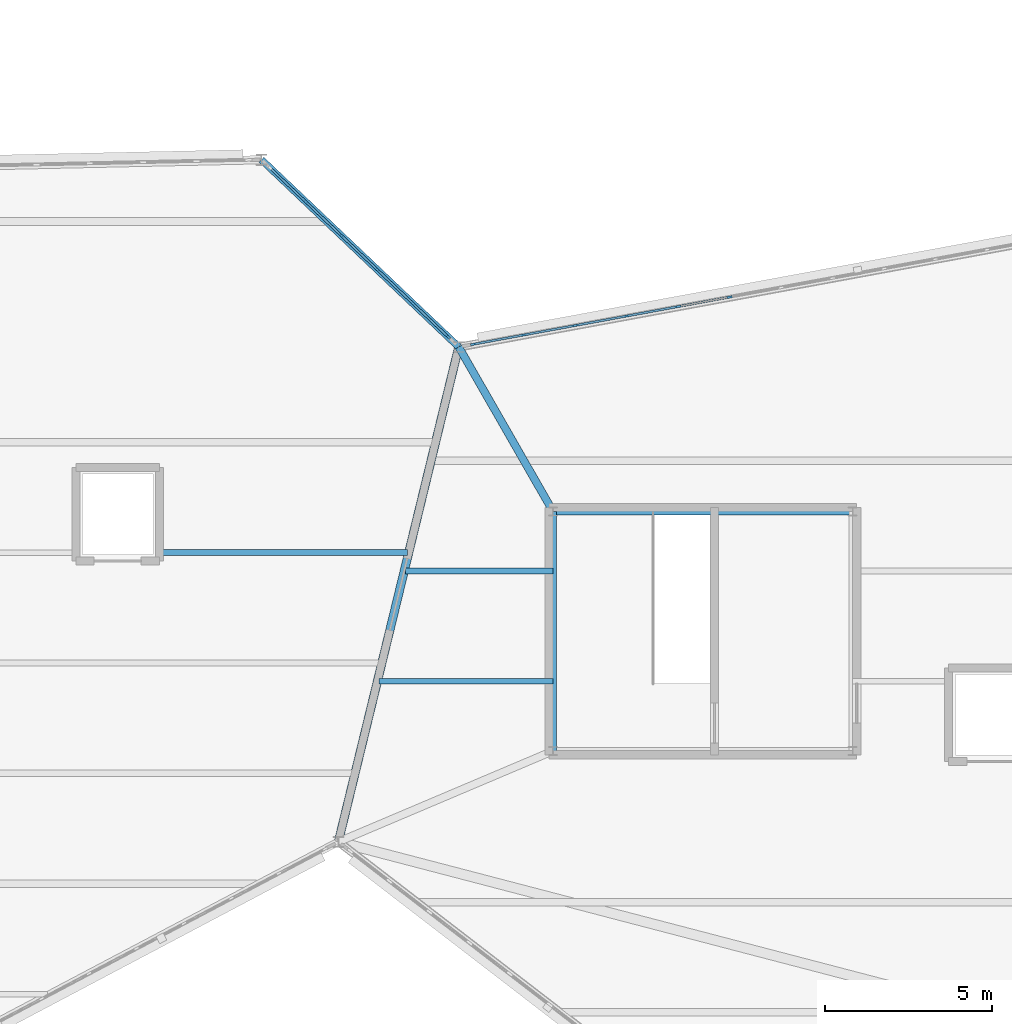
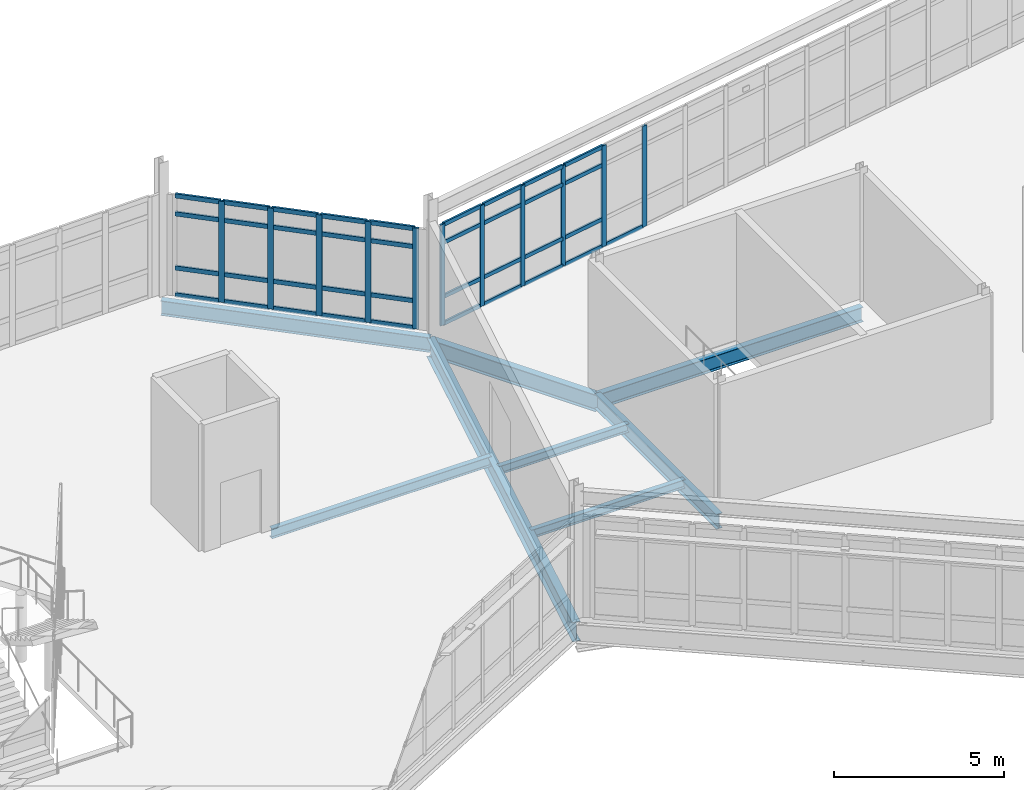
# One storey, part 28 of 76: 48 members, 8 beams, 2 elements without a shape of their own.
"""IFC4 building model written with IfcOpenShell, lengths in metres."""

from ifc_helpers import new_model, si_unit, direction, frame, origin, origin_2d, place, context, subcontext, project, spatial, rectangle, i_section, extrude, material, material_profile, profile_set, type_object, element, aggregate, save


model = new_model("IFC4")

# Units and contexts
model_context = context("Model", 3, precision=1e-05, world=origin(), true_north=direction((0.0, 1.0)))
body_context = subcontext(model_context, "Body", "Model", "MODEL_VIEW")
ifc_project = project(units=[si_unit("LENGTHUNIT", "METRE"), si_unit("AREAUNIT", "SQUARE_METRE"), si_unit("VOLUMEUNIT", "CUBIC_METRE"), si_unit("PLANEANGLEUNIT", "RADIAN"), si_unit("MASSUNIT", "GRAM", prefix="KILO")], contexts=[model_context])

# Site, building, storey
site_placement = place(None, origin())
site = spatial("IfcSite", under=ifc_project, at=site_placement, CompositionType="ELEMENT")
building_placement = place(site_placement, origin())
building = spatial("IfcBuilding", under=site, at=building_placement, Name="Tameran Prism Museum", CompositionType="ELEMENT")
storey_placement = place(building_placement, frame((0.0, 0.0, 15.0)))
storey = spatial("IfcBuildingStorey", under=building, at=storey_placement, Name="L03", CompositionType="ELEMENT", Elevation=15.0)

# Beams
ifc_material_1 = material(Name="Steel Grade 300PLUS (300 MPa)", Category="steel")
ifc_material_profile_1 = material_profile(ifc_material_1, i_section(OverallWidth=0.166015625, OverallDepth=0.306884765625, WebThickness=0.006591796875, FlangeThickness=0.01171875, FilletRadius=0.011474609375, at=origin_2d()))
ifc_profile_set_1 = profile_set([ifc_material_profile_1])
beam_type_1 = type_object("IfcBeamType", Name="BM-J310A", PredefinedType="JOIST", material=ifc_profile_set_1)
beam_1_placement = place(storey_placement, frame((99.30908203125, 33.0, -0.37353515625), z_axis=(1.0, 0.0, 0.0), x_axis=(0.0, 1.0, 0.0)))
element("IfcBeam", 1, at=beam_1_placement, inside=storey, type_object=beam_type_1, Name="Floor Beam BM-1107", PredefinedType="JOIST", context=body_context, shape_type="SweptSolid", body=[
    extrude(i_section(OverallWidth=0.166015625, OverallDepth=0.306884765625, WebThickness=0.006591796875, FlangeThickness=0.01171875, FilletRadius=0.011474609375, at=origin_2d()), origin(), (0.0, 0.0, 1.0), 5.2109375),
])
ifc_material_2 = material(Name="Steel Grade 300PLUS (300 MPa)", Category="steel")
ifc_material_profile_2 = material_profile(ifc_material_2, i_section(OverallWidth=0.1650390625, OverallDepth=0.303955078125, WebThickness=0.006103515625, FlangeThickness=0.01025390625, FilletRadius=0.011474609375, at=origin_2d()))
ifc_profile_set_2 = profile_set([ifc_material_profile_2])
beam_type_2 = type_object("IfcBeamType", Name="BM-J310B", PredefinedType="JOIST", material=ifc_profile_set_2)
beam_2_placement = place(storey_placement, frame((100.111083984375, 36.300048828125, -0.3720703125), z_axis=(1.0, 0.0, 0.0), x_axis=(0.0, 1.0, 0.0)))
element("IfcBeam", 2, at=beam_2_placement, inside=storey, type_object=beam_type_2, Name="Floor Beam BM-1110", PredefinedType="JOIST", context=body_context, shape_type="SweptSolid", body=[
    extrude(i_section(OverallWidth=0.1650390625, OverallDepth=0.303955078125, WebThickness=0.006103515625, FlangeThickness=0.01025390625, FilletRadius=0.011474609375, at=origin_2d()), origin(), (0.0, 0.0, 1.0), 4.408935546875),
])
ifc_material_3 = material(Name="Steel Grade 300PLUS (300 MPa)", Category="steel")
ifc_material_profile_3 = material_profile(ifc_material_3, i_section(OverallWidth=0.1708984375, OverallDepth=0.35595703125, WebThickness=0.00732421875, FlangeThickness=0.011474609375, FilletRadius=0.011474609375, at=origin_2d()))
ifc_profile_set_3 = profile_set([ifc_material_profile_3])
beam_type_3 = type_object("IfcBeamType", Name="BM-J360B", PredefinedType="JOIST", material=ifc_profile_set_3)
beam_3_placement = place(storey_placement, frame((92.72998046875, 36.85009765625, -0.3779296875), z_axis=(1.0, 0.0, 0.0), x_axis=(0.0, 1.0, 0.0)))
element("IfcBeam", 3, at=beam_3_placement, inside=storey, type_object=beam_type_3, Name="Floor Beam BM-1091", PredefinedType="JOIST", context=body_context, shape_type="SweptSolid", body=[
    extrude(i_section(OverallWidth=0.1708984375, OverallDepth=0.35595703125, WebThickness=0.00732421875, FlangeThickness=0.011474609375, FilletRadius=0.011474609375, at=origin_2d()), origin(), (0.0, 0.0, 1.0), 7.43310546875),
])
ifc_material_4 = material(Name="Steel Grade 300PLUS (300 MPa)", Category="steel")
ifc_material_profile_4 = material_profile(ifc_material_4, i_section(OverallWidth=0.208984375, OverallDepth=0.528076171875, WebThickness=0.009521484375, FlangeThickness=0.01318359375, FilletRadius=0.013916015625, at=origin_2d()))
ifc_profile_set_4 = profile_set([ifc_material_profile_4])
beam_type_4 = type_object("IfcBeamType", Name="BM-SP530B", PredefinedType="SPANDREL", material=ifc_profile_set_4)
beam_4_placement = place(storey_placement, frame((101.699951171875, 43.0, -0.464111328125), z_axis=(-0.725294606745, 0.688438619942, 0.0), x_axis=(-0.688438619942, -0.725294606745, 0.0)))
element("IfcBeam", 4, at=beam_4_placement, inside=storey, type_object=beam_type_4, Name="Perimeter Spandrel SP-0964", PredefinedType="SPANDREL", context=body_context, shape_type="SweptSolid", body=[
    extrude(i_section(OverallWidth=0.208984375, OverallDepth=0.528076171875, WebThickness=0.009521484375, FlangeThickness=0.01318359375, FilletRadius=0.013916015625, at=origin_2d()), origin(), (0.0, 0.0, 1.0), 8.134521484375),
])
beam_5_placement = place(storey_placement, frame((113.47998046875, 38.080078125, -0.50390625), z_axis=(-1.0, 0.0, 0.0), x_axis=(0.0, -1.0, 0.0)))
element("IfcBeam", 5, at=beam_5_placement, inside=storey, type_object=beam_type_4, Name="Core Ring Beam CTB-1036", PredefinedType="SPANDREL", context=body_context, shape_type="SweptSolid", body=[
    extrude(i_section(OverallWidth=0.208984375, OverallDepth=0.528076171875, WebThickness=0.009521484375, FlangeThickness=0.01318359375, FilletRadius=0.013916015625, at=origin_2d()), origin(), (0.0, 0.0, 1.0), 8.9599609375),
])
beam_6_placement = place(storey_placement, frame((104.52001953125, 38.080078125, -0.50390625), z_axis=(0.0, -1.0, 0.0), x_axis=(1.0, 0.0, 0.0)))
element("IfcBeam", 6, at=beam_6_placement, inside=storey, type_object=beam_type_4, Name="Core Ring Beam CTB-1037", PredefinedType="SPANDREL", context=body_context, shape_type="SweptSolid", body=[
    extrude(i_section(OverallWidth=0.208984375, OverallDepth=0.528076171875, WebThickness=0.009521484375, FlangeThickness=0.01318359375, FilletRadius=0.013916015625, at=origin_2d()), origin(), (0.0, 0.0, 1.0), 7.16015625),
])
ifc_material_5 = material(Name="Steel Grade 350 (350 MPa)", Category="steel")
ifc_material_profile_5 = material_profile(ifc_material_5, i_section(OverallWidth=0.25, OverallDepth=0.699951171875, WebThickness=0.010009765625, FlangeThickness=0.02001953125, at=origin_2d()))
ifc_profile_set_5 = profile_set([ifc_material_profile_5])
beam_type_5 = type_object("IfcBeamType", Name="BM-SP700", PredefinedType="SPANDREL", material=ifc_profile_set_5)
beam_7_placement = place(storey_placement, frame((98.10009765625, 28.199951171875, -0.570068359375), z_axis=(0.236341762997, 0.971669990822, 0.0), x_axis=(-0.971669990822, 0.236341762997, 0.0)))
element("IfcBeam", 7, at=beam_7_placement, inside=storey, type_object=beam_type_5, Name="Perimeter Spandrel SP-0963", PredefinedType="SPANDREL", context=body_context, shape_type="SweptSolid", body=[
    extrude(i_section(OverallWidth=0.25, OverallDepth=0.699951171875, WebThickness=0.010009765625, FlangeThickness=0.02001953125, at=origin_2d()), origin(), (0.0, 0.0, 1.0), 15.2314453125),
])
ifc_material_6 = material(Name="Steel Grade 300PLUS (300 MPa)", Category="steel")
ifc_material_profile_6 = material_profile(ifc_material_6, i_section(OverallWidth=0.22900390625, OverallDepth=0.612060546875, WebThickness=0.011962890625, FlangeThickness=0.01953125, FilletRadius=0.013916015625, at=origin_2d()))
ifc_profile_set_6 = profile_set([ifc_material_profile_6])
beam_type_6 = type_object("IfcBeamType", Name="BM-UB610A", PredefinedType="BEAM", material=ifc_profile_set_6)
beam_8_placement = place(storey_placement, frame((104.52001953125, 38.080078125, -0.56005859375), z_axis=(-0.4972929541, 0.867582686436, 0.0), x_axis=(-0.867582686436, -0.4972929541, 0.0)))
element("IfcBeam", 8, at=beam_8_placement, inside=storey, type_object=beam_type_6, Name="Frame Tie Girder FG-1424", PredefinedType="BEAM", context=body_context, shape_type="SweptSolid", body=[
    extrude(i_section(OverallWidth=0.22900390625, OverallDepth=0.612060546875, WebThickness=0.011962890625, FlangeThickness=0.01953125, FilletRadius=0.013916015625, at=origin_2d()), origin(), (0.0, 0.0, 1.0), 5.6708984375),
])

# Curtain wall, members
ifc_material_7 = material(Name="Anodised Aluminium 6063-T6 and Cyclone Solar Glass", Category="aluminium")
curtain_wall_type_1 = type_object("IfcCurtainWallType", Name="CW-FAC-2348x362", PredefinedType="USERDEFINED", material=ifc_material_7)
curtain_wall_1_placement = place(storey_placement, origin())
curtain_wall_1 = element("IfcCurtainWall", 9, at=curtain_wall_1_placement, inside=storey, type_object=curtain_wall_type_1, Name="Unitised Curtain Wall CW-147", ObjectType="UNITISED CURTAIN WALL", PredefinedType="USERDEFINED")
ifc_material_8 = material(Name="Anodised Aluminium Alloy 6063-T6", Category="aluminium")
ifc_material_profile_7 = material_profile(ifc_material_8, rectangle(XDim=0.06494140625, YDim=0.159912109375, at=origin_2d()))
ifc_profile_set_7 = profile_set([ifc_material_profile_7])
member_type_1 = type_object("IfcMemberType", Name="CW-MUL-A", PredefinedType="MULLION", material=ifc_profile_set_7)
member_1_placement = place(storey_placement, frame((102.135009765625, 43.079833984375, 0.0), z_axis=(0.0, 0.0, 1.0), x_axis=(-0.181062693106, 0.98347155585, 0.0)))
member_1 = element("IfcMember", 10, at=member_1_placement, type_object=member_type_1, Name="CW-147 mullion 1", PredefinedType="MULLION", context=body_context, shape_type="SweptSolid", body=[
    extrude(rectangle(XDim=0.06494140625, YDim=0.159912109375, at=origin_2d()), origin(), (0.0, 0.0, 1.0), 3.6201171875),
])
member_2_placement = place(storey_placement, frame((103.642333984375, 43.357421875, 0.0), z_axis=(0.0, 0.0, 1.0), x_axis=(-0.181062693106, 0.98347155585, 0.0)))
member_2 = element("IfcMember", 11, at=member_2_placement, type_object=member_type_1, Name="CW-147 mullion 2", PredefinedType="MULLION", context=body_context, shape_type="SweptSolid", body=[
    extrude(rectangle(XDim=0.06494140625, YDim=0.159912109375, at=origin_2d()), origin(), (0.0, 0.0, 1.0), 3.6201171875),
])
member_3_placement = place(storey_placement, frame((105.181640625, 43.640869140625, 0.0), z_axis=(0.0, 0.0, 1.0), x_axis=(-0.181062693106, 0.98347155585, 0.0)))
member_3 = element("IfcMember", 12, at=member_3_placement, type_object=member_type_1, Name="CW-147 mullion 3", PredefinedType="MULLION", context=body_context, shape_type="SweptSolid", body=[
    extrude(rectangle(XDim=0.06494140625, YDim=0.159912109375, at=origin_2d()), origin(), (0.0, 0.0, 1.0), 3.6201171875),
])
member_4_placement = place(storey_placement, frame((106.720947265625, 43.92431640625, 0.0), z_axis=(0.0, 0.0, 1.0), x_axis=(-0.181062693106, 0.98347155585, 0.0)))
member_4 = element("IfcMember", 13, at=member_4_placement, type_object=member_type_1, Name="CW-147 mullion 4", PredefinedType="MULLION", context=body_context, shape_type="SweptSolid", body=[
    extrude(rectangle(XDim=0.06494140625, YDim=0.159912109375, at=origin_2d()), origin(), (0.0, 0.0, 1.0), 3.6201171875),
])
member_5_placement = place(storey_placement, frame((108.26025390625, 44.20751953125, 0.0), z_axis=(0.0, 0.0, 1.0), x_axis=(-0.181062693106, 0.98347155585, 0.0)))
member_5 = element("IfcMember", 14, at=member_5_placement, type_object=member_type_1, Name="CW-147 mullion 5", PredefinedType="MULLION", context=body_context, shape_type="SweptSolid", body=[
    extrude(rectangle(XDim=0.06494140625, YDim=0.159912109375, at=origin_2d()), origin(), (0.0, 0.0, 1.0), 3.6201171875),
])
member_6_placement = place(storey_placement, frame((109.799560546875, 44.490966796875, 0.0), z_axis=(0.0, 0.0, 1.0), x_axis=(-0.181062693106, 0.98347155585, 0.0)))
member_6 = element("IfcMember", 15, at=member_6_placement, type_object=member_type_1, Name="CW-147 mullion 6", PredefinedType="MULLION", context=body_context, shape_type="SweptSolid", body=[
    extrude(rectangle(XDim=0.06494140625, YDim=0.159912109375, at=origin_2d()), origin(), (0.0, 0.0, 1.0), 3.6201171875),
])

ifc_material_9 = material(Name="Anodised Aluminium 6063-T6 and Cyclone Solar Glass", Category="aluminium")
curtain_wall_type_2 = type_object("IfcCurtainWallType", Name="CW-FAC-738x362", PredefinedType="USERDEFINED", material=ifc_material_9)
curtain_wall_2_placement = place(storey_placement, origin())
curtain_wall_2 = element("IfcCurtainWall", 16, at=curtain_wall_2_placement, inside=storey, type_object=curtain_wall_type_2, Name="Unitised Curtain Wall CW-140", ObjectType="UNITISED CURTAIN WALL", PredefinedType="USERDEFINED")
ifc_material_10 = material(Name="Anodised Aluminium Alloy 6063-T6", Category="aluminium")
ifc_material_profile_8 = material_profile(ifc_material_10, rectangle(XDim=0.070068359375, YDim=0.179931640625, at=origin_2d()))
ifc_profile_set_8 = profile_set([ifc_material_profile_8])
member_type_2 = type_object("IfcMemberType", Name="CW-MUL-B", PredefinedType="MULLION", material=ifc_profile_set_8)
member_7_placement = place(storey_placement, frame((97.123779296875, 47.343505859375, 0.0), z_axis=(0.0, 0.0, 1.0), x_axis=(0.688425100987, 0.725307438491, 0.0)))
member_7 = element("IfcMember", 17, at=member_7_placement, type_object=member_type_2, Name="CW-140 mullion 2", PredefinedType="MULLION", context=body_context, shape_type="SweptSolid", body=[
    extrude(rectangle(XDim=0.070068359375, YDim=0.179931640625, at=origin_2d()), origin(), (0.0, 0.0, 1.0), 3.6201171875),
])
member_8_placement = place(storey_placement, frame((98.193603515625, 46.328125, 0.0), z_axis=(0.0, 0.0, 1.0), x_axis=(0.688425100987, 0.725307438491, 0.0)))
member_8 = element("IfcMember", 18, at=member_8_placement, type_object=member_type_2, Name="CW-140 mullion 3", PredefinedType="MULLION", context=body_context, shape_type="SweptSolid", body=[
    extrude(rectangle(XDim=0.070068359375, YDim=0.179931640625, at=origin_2d()), origin(), (0.0, 0.0, 1.0), 3.6201171875),
])
member_9_placement = place(storey_placement, frame((99.263427734375, 45.312744140625, 0.0), z_axis=(0.0, 0.0, 1.0), x_axis=(0.688425100987, 0.725307438491, 0.0)))
member_9 = element("IfcMember", 19, at=member_9_placement, type_object=member_type_2, Name="CW-140 mullion 4", PredefinedType="MULLION", context=body_context, shape_type="SweptSolid", body=[
    extrude(rectangle(XDim=0.070068359375, YDim=0.179931640625, at=origin_2d()), origin(), (0.0, 0.0, 1.0), 3.6201171875),
])
member_10_placement = place(storey_placement, frame((100.333251953125, 44.29736328125, 0.0), z_axis=(0.0, 0.0, 1.0), x_axis=(0.688425100987, 0.725307438491, 0.0)))
member_10 = element("IfcMember", 20, at=member_10_placement, type_object=member_type_2, Name="CW-140 mullion 5", PredefinedType="MULLION", context=body_context, shape_type="SweptSolid", body=[
    extrude(rectangle(XDim=0.070068359375, YDim=0.179931640625, at=origin_2d()), origin(), (0.0, 0.0, 1.0), 3.6201171875),
])
member_11_placement = place(storey_placement, frame((101.377685546875, 43.30615234375, 0.0), z_axis=(0.0, 0.0, 1.0), x_axis=(0.688425100987, 0.725307438491, 0.0)))
member_11 = element("IfcMember", 21, at=member_11_placement, type_object=member_type_2, Name="CW-140 mullion 6", PredefinedType="MULLION", context=body_context, shape_type="SweptSolid", body=[
    extrude(rectangle(XDim=0.070068359375, YDim=0.179931640625, at=origin_2d()), origin(), (0.0, 0.0, 1.0), 3.6201171875),
])

# Member
ifc_material_11 = material(Name="Anodised Aluminium Alloy 6063-T6", Category="aluminium")
ifc_material_profile_9 = material_profile(ifc_material_11, rectangle(XDim=0.06494140625, YDim=0.139892578125, at=origin_2d()))
ifc_profile_set_9 = profile_set([ifc_material_profile_9])
member_type_3 = type_object("IfcMemberType", Name="CW-TRN-A", PredefinedType="USERDEFINED", material=ifc_profile_set_9)
member_12_placement = place(storey_placement, frame((102.1669921875, 43.085693359375, 0.032470703125), z_axis=(0.983454748422, 0.181153961609, 0.0), x_axis=(-0.181153961609, 0.983454748422, 0.0)))
member_12 = element("IfcMember", 22, at=member_12_placement, type_object=member_type_3, Name="CW-147 transom 1.1", ObjectType="TRANSOM", PredefinedType="USERDEFINED", context=body_context, shape_type="SweptSolid", body=[
    extrude(rectangle(XDim=0.06494140625, YDim=0.139892578125, at=origin_2d()), origin(), (0.0, 0.0, 1.0), 1.467529296875),
])

member_13_placement = place(storey_placement, frame((102.1669921875, 43.085693359375, 1.0), z_axis=(0.983454748422, 0.181153961609, 0.0), x_axis=(-0.181153961609, 0.983454748422, 0.0)))
member_13 = element("IfcMember", 23, at=member_13_placement, type_object=member_type_3, Name="CW-147 transom 1.2", ObjectType="TRANSOM", PredefinedType="USERDEFINED", context=body_context, shape_type="SweptSolid", body=[
    extrude(rectangle(XDim=0.06494140625, YDim=0.139892578125, at=origin_2d()), origin(), (0.0, 0.0, 1.0), 1.467529296875),
])

member_14_placement = place(storey_placement, frame((102.1669921875, 43.085693359375, 2.93994140625), z_axis=(0.983454748422, 0.181153961609, 0.0), x_axis=(-0.181153961609, 0.983454748422, 0.0)))
member_14 = element("IfcMember", 24, at=member_14_placement, type_object=member_type_3, Name="CW-147 transom 1.3", ObjectType="TRANSOM", PredefinedType="USERDEFINED", context=body_context, shape_type="SweptSolid", body=[
    extrude(rectangle(XDim=0.06494140625, YDim=0.139892578125, at=origin_2d()), origin(), (0.0, 0.0, 1.0), 1.467529296875),
])

member_15_placement = place(storey_placement, frame((102.1669921875, 43.085693359375, 3.58740234375), z_axis=(0.983454748422, 0.181153961609, 0.0), x_axis=(-0.181153961609, 0.983454748422, 0.0)))
member_15 = element("IfcMember", 25, at=member_15_placement, type_object=member_type_3, Name="CW-147 transom 1.4", ObjectType="TRANSOM", PredefinedType="USERDEFINED", context=body_context, shape_type="SweptSolid", body=[
    extrude(rectangle(XDim=0.06494140625, YDim=0.139892578125, at=origin_2d()), origin(), (0.0, 0.0, 1.0), 1.467529296875),
])

member_16_placement = place(storey_placement, frame((103.67431640625, 43.36328125, 0.032470703125), z_axis=(0.983458529373, 0.181133434253, 0.0), x_axis=(-0.181133434253, 0.983458529373, 0.0)))
member_16 = element("IfcMember", 26, at=member_16_placement, type_object=member_type_3, Name="CW-147 transom 2.1", ObjectType="TRANSOM", PredefinedType="USERDEFINED", context=body_context, shape_type="SweptSolid", body=[
    extrude(rectangle(XDim=0.06494140625, YDim=0.139892578125, at=origin_2d()), origin(), (0.0, 0.0, 1.0), 1.500244140625),
])

member_17_placement = place(storey_placement, frame((103.67431640625, 43.36328125, 1.0), z_axis=(0.983458529373, 0.181133434253, 0.0), x_axis=(-0.181133434253, 0.983458529373, 0.0)))
member_17 = element("IfcMember", 27, at=member_17_placement, type_object=member_type_3, Name="CW-147 transom 2.2", ObjectType="TRANSOM", PredefinedType="USERDEFINED", context=body_context, shape_type="SweptSolid", body=[
    extrude(rectangle(XDim=0.06494140625, YDim=0.139892578125, at=origin_2d()), origin(), (0.0, 0.0, 1.0), 1.500244140625),
])

member_18_placement = place(storey_placement, frame((103.67431640625, 43.36328125, 2.93994140625), z_axis=(0.983458529373, 0.181133434253, 0.0), x_axis=(-0.181133434253, 0.983458529373, 0.0)))
member_18 = element("IfcMember", 28, at=member_18_placement, type_object=member_type_3, Name="CW-147 transom 2.3", ObjectType="TRANSOM", PredefinedType="USERDEFINED", context=body_context, shape_type="SweptSolid", body=[
    extrude(rectangle(XDim=0.06494140625, YDim=0.139892578125, at=origin_2d()), origin(), (0.0, 0.0, 1.0), 1.500244140625),
])

member_19_placement = place(storey_placement, frame((103.67431640625, 43.36328125, 3.58740234375), z_axis=(0.983458529373, 0.181133434253, 0.0), x_axis=(-0.181133434253, 0.983458529373, 0.0)))
member_19 = element("IfcMember", 29, at=member_19_placement, type_object=member_type_3, Name="CW-147 transom 2.4", ObjectType="TRANSOM", PredefinedType="USERDEFINED", context=body_context, shape_type="SweptSolid", body=[
    extrude(rectangle(XDim=0.06494140625, YDim=0.139892578125, at=origin_2d()), origin(), (0.0, 0.0, 1.0), 1.500244140625),
])

member_20_placement = place(storey_placement, frame((105.213623046875, 43.646728515625, 0.032470703125), z_axis=(0.983487508292, 0.180976023369, 0.0), x_axis=(-0.180976023369, 0.983487508292, 0.0)))
member_20 = element("IfcMember", 30, at=member_20_placement, type_object=member_type_3, Name="CW-147 transom 3.1", ObjectType="TRANSOM", PredefinedType="USERDEFINED", context=body_context, shape_type="SweptSolid", body=[
    extrude(rectangle(XDim=0.06494140625, YDim=0.139892578125, at=origin_2d()), origin(), (0.0, 0.0, 1.0), 1.5),
])

member_21_placement = place(storey_placement, frame((105.213623046875, 43.646728515625, 1.0), z_axis=(0.983487508292, 0.180976023369, 0.0), x_axis=(-0.180976023369, 0.983487508292, 0.0)))
member_21 = element("IfcMember", 31, at=member_21_placement, type_object=member_type_3, Name="CW-147 transom 3.2", ObjectType="TRANSOM", PredefinedType="USERDEFINED", context=body_context, shape_type="SweptSolid", body=[
    extrude(rectangle(XDim=0.06494140625, YDim=0.139892578125, at=origin_2d()), origin(), (0.0, 0.0, 1.0), 1.5),
])

member_22_placement = place(storey_placement, frame((105.213623046875, 43.646728515625, 2.93994140625), z_axis=(0.983487508292, 0.180976023369, 0.0), x_axis=(-0.180976023369, 0.983487508292, 0.0)))
member_22 = element("IfcMember", 32, at=member_22_placement, type_object=member_type_3, Name="CW-147 transom 3.3", ObjectType="TRANSOM", PredefinedType="USERDEFINED", context=body_context, shape_type="SweptSolid", body=[
    extrude(rectangle(XDim=0.06494140625, YDim=0.139892578125, at=origin_2d()), origin(), (0.0, 0.0, 1.0), 1.5),
])

member_23_placement = place(storey_placement, frame((105.213623046875, 43.646728515625, 3.58740234375), z_axis=(0.983487508292, 0.180976023369, 0.0), x_axis=(-0.180976023369, 0.983487508292, 0.0)))
member_23 = element("IfcMember", 33, at=member_23_placement, type_object=member_type_3, Name="CW-147 transom 3.4", ObjectType="TRANSOM", PredefinedType="USERDEFINED", context=body_context, shape_type="SweptSolid", body=[
    extrude(rectangle(XDim=0.06494140625, YDim=0.139892578125, at=origin_2d()), origin(), (0.0, 0.0, 1.0), 1.5),
])

member_24_placement = place(storey_placement, frame((106.7529296875, 43.93017578125, 0.032470703125), z_axis=(0.983487508292, 0.180976023369, 0.0), x_axis=(-0.180976023369, 0.983487508292, 0.0)))
member_24 = element("IfcMember", 34, at=member_24_placement, type_object=member_type_3, Name="CW-147 transom 4.1", ObjectType="TRANSOM", PredefinedType="USERDEFINED", context=body_context, shape_type="SweptSolid", body=[
    extrude(rectangle(XDim=0.06494140625, YDim=0.139892578125, at=origin_2d()), origin(), (0.0, 0.0, 1.0), 1.5),
])

member_25_placement = place(storey_placement, frame((106.7529296875, 43.93017578125, 1.0), z_axis=(0.983487508292, 0.180976023369, 0.0), x_axis=(-0.180976023369, 0.983487508292, 0.0)))
member_25 = element("IfcMember", 35, at=member_25_placement, type_object=member_type_3, Name="CW-147 transom 4.2", ObjectType="TRANSOM", PredefinedType="USERDEFINED", context=body_context, shape_type="SweptSolid", body=[
    extrude(rectangle(XDim=0.06494140625, YDim=0.139892578125, at=origin_2d()), origin(), (0.0, 0.0, 1.0), 1.5),
])

member_26_placement = place(storey_placement, frame((106.7529296875, 43.93017578125, 2.93994140625), z_axis=(0.983487508292, 0.180976023369, 0.0), x_axis=(-0.180976023369, 0.983487508292, 0.0)))
member_26 = element("IfcMember", 36, at=member_26_placement, type_object=member_type_3, Name="CW-147 transom 4.3", ObjectType="TRANSOM", PredefinedType="USERDEFINED", context=body_context, shape_type="SweptSolid", body=[
    extrude(rectangle(XDim=0.06494140625, YDim=0.139892578125, at=origin_2d()), origin(), (0.0, 0.0, 1.0), 1.5),
])

member_27_placement = place(storey_placement, frame((106.7529296875, 43.93017578125, 3.58740234375), z_axis=(0.983487508292, 0.180976023369, 0.0), x_axis=(-0.180976023369, 0.983487508292, 0.0)))
member_27 = element("IfcMember", 37, at=member_27_placement, type_object=member_type_3, Name="CW-147 transom 4.4", ObjectType="TRANSOM", PredefinedType="USERDEFINED", context=body_context, shape_type="SweptSolid", body=[
    extrude(rectangle(XDim=0.06494140625, YDim=0.139892578125, at=origin_2d()), origin(), (0.0, 0.0, 1.0), 1.5),
])

member_28_placement = place(storey_placement, frame((108.292236328125, 44.21337890625, 0.032470703125), z_axis=(0.983463867592, 0.181104448152, 0.0), x_axis=(-0.181104448152, 0.983463867592, 0.0)))
member_28 = element("IfcMember", 38, at=member_28_placement, type_object=member_type_3, Name="CW-147 transom 5.1", ObjectType="TRANSOM", PredefinedType="USERDEFINED", context=body_context, shape_type="SweptSolid", body=[
    extrude(rectangle(XDim=0.06494140625, YDim=0.139892578125, at=origin_2d()), origin(), (0.0, 0.0, 1.0), 1.50048828125),
])

aggregate(curtain_wall_1, [member_1, member_2, member_3, member_4, member_5, member_6, member_12, member_13, member_14, member_15, member_16, member_17, member_18, member_19, member_20, member_21, member_22, member_23, member_24, member_25, member_26, member_27, member_28])

ifc_material_12 = material(Name="Anodised Aluminium Alloy 6063-T6", Category="aluminium")
ifc_material_profile_10 = material_profile(ifc_material_12, rectangle(XDim=0.070068359375, YDim=0.155029296875, at=origin_2d()))
ifc_profile_set_10 = profile_set([ifc_material_profile_10])
member_type_4 = type_object("IfcMemberType", Name="CW-TRN-B", PredefinedType="USERDEFINED", material=ifc_profile_set_10)
member_29_placement = place(storey_placement, frame((96.104736328125, 48.310791015625, 0.034912109375), z_axis=(0.725310815486, -0.688421543052, 0.0), x_axis=(0.688421543052, 0.725310815486, 0.0)))
member_29 = element("IfcMember", 39, at=member_29_placement, type_object=member_type_4, Name="CW-140 transom 1.1", ObjectType="TRANSOM", PredefinedType="USERDEFINED", context=body_context, shape_type="SweptSolid", body=[
    extrude(rectangle(XDim=0.070068359375, YDim=0.155029296875, at=origin_2d()), origin(), (0.0, 0.0, 1.0), 1.369873046875),
])

member_30_placement = place(storey_placement, frame((96.104736328125, 48.310791015625, 1.0), z_axis=(0.725310815486, -0.688421543052, 0.0), x_axis=(0.688421543052, 0.725310815486, 0.0)))
member_30 = element("IfcMember", 40, at=member_30_placement, type_object=member_type_4, Name="CW-140 transom 1.2", ObjectType="TRANSOM", PredefinedType="USERDEFINED", context=body_context, shape_type="SweptSolid", body=[
    extrude(rectangle(XDim=0.070068359375, YDim=0.155029296875, at=origin_2d()), origin(), (0.0, 0.0, 1.0), 1.369873046875),
])

member_31_placement = place(storey_placement, frame((96.104736328125, 48.310791015625, 2.93994140625), z_axis=(0.725310815486, -0.688421543052, 0.0), x_axis=(0.688421543052, 0.725310815486, 0.0)))
member_31 = element("IfcMember", 41, at=member_31_placement, type_object=member_type_4, Name="CW-140 transom 1.3", ObjectType="TRANSOM", PredefinedType="USERDEFINED", context=body_context, shape_type="SweptSolid", body=[
    extrude(rectangle(XDim=0.070068359375, YDim=0.155029296875, at=origin_2d()), origin(), (0.0, 0.0, 1.0), 1.369873046875),
])

member_32_placement = place(storey_placement, frame((96.104736328125, 48.310791015625, 3.5849609375), z_axis=(0.725310815486, -0.688421543052, 0.0), x_axis=(0.688421543052, 0.725310815486, 0.0)))
member_32 = element("IfcMember", 42, at=member_32_placement, type_object=member_type_4, Name="CW-140 transom 1.4", ObjectType="TRANSOM", PredefinedType="USERDEFINED", context=body_context, shape_type="SweptSolid", body=[
    extrude(rectangle(XDim=0.070068359375, YDim=0.155029296875, at=origin_2d()), origin(), (0.0, 0.0, 1.0), 1.369873046875),
])

member_33_placement = place(storey_placement, frame((97.149169921875, 47.319580078125, 0.034912109375), z_axis=(0.725285702723, -0.688448000524, 0.0), x_axis=(0.688448000524, 0.725285702723, 0.0)))
member_33 = element("IfcMember", 43, at=member_33_placement, type_object=member_type_4, Name="CW-140 transom 2.1", ObjectType="TRANSOM", PredefinedType="USERDEFINED", context=body_context, shape_type="SweptSolid", body=[
    extrude(rectangle(XDim=0.070068359375, YDim=0.155029296875, at=origin_2d()), origin(), (0.0, 0.0, 1.0), 1.405029296875),
])

member_34_placement = place(storey_placement, frame((97.149169921875, 47.319580078125, 1.0), z_axis=(0.725285702723, -0.688448000524, 0.0), x_axis=(0.688448000524, 0.725285702723, 0.0)))
member_34 = element("IfcMember", 44, at=member_34_placement, type_object=member_type_4, Name="CW-140 transom 2.2", ObjectType="TRANSOM", PredefinedType="USERDEFINED", context=body_context, shape_type="SweptSolid", body=[
    extrude(rectangle(XDim=0.070068359375, YDim=0.155029296875, at=origin_2d()), origin(), (0.0, 0.0, 1.0), 1.405029296875),
])

member_35_placement = place(storey_placement, frame((97.149169921875, 47.319580078125, 2.93994140625), z_axis=(0.725285702723, -0.688448000524, 0.0), x_axis=(0.688448000524, 0.725285702723, 0.0)))
member_35 = element("IfcMember", 45, at=member_35_placement, type_object=member_type_4, Name="CW-140 transom 2.3", ObjectType="TRANSOM", PredefinedType="USERDEFINED", context=body_context, shape_type="SweptSolid", body=[
    extrude(rectangle(XDim=0.070068359375, YDim=0.155029296875, at=origin_2d()), origin(), (0.0, 0.0, 1.0), 1.405029296875),
])

member_36_placement = place(storey_placement, frame((97.149169921875, 47.319580078125, 3.5849609375), z_axis=(0.725285702723, -0.688448000524, 0.0), x_axis=(0.688448000524, 0.725285702723, 0.0)))
member_36 = element("IfcMember", 46, at=member_36_placement, type_object=member_type_4, Name="CW-140 transom 2.4", ObjectType="TRANSOM", PredefinedType="USERDEFINED", context=body_context, shape_type="SweptSolid", body=[
    extrude(rectangle(XDim=0.070068359375, YDim=0.155029296875, at=origin_2d()), origin(), (0.0, 0.0, 1.0), 1.405029296875),
])

member_37_placement = place(storey_placement, frame((98.218994140625, 46.30419921875, 0.034912109375), z_axis=(0.725285702723, -0.688448000524, 0.0), x_axis=(0.688448000524, 0.725285702723, 0.0)))
member_37 = element("IfcMember", 47, at=member_37_placement, type_object=member_type_4, Name="CW-140 transom 3.1", ObjectType="TRANSOM", PredefinedType="USERDEFINED", context=body_context, shape_type="SweptSolid", body=[
    extrude(rectangle(XDim=0.070068359375, YDim=0.155029296875, at=origin_2d()), origin(), (0.0, 0.0, 1.0), 1.405029296875),
])

member_38_placement = place(storey_placement, frame((98.218994140625, 46.30419921875, 1.0), z_axis=(0.725285702723, -0.688448000524, 0.0), x_axis=(0.688448000524, 0.725285702723, 0.0)))
member_38 = element("IfcMember", 48, at=member_38_placement, type_object=member_type_4, Name="CW-140 transom 3.2", ObjectType="TRANSOM", PredefinedType="USERDEFINED", context=body_context, shape_type="SweptSolid", body=[
    extrude(rectangle(XDim=0.070068359375, YDim=0.155029296875, at=origin_2d()), origin(), (0.0, 0.0, 1.0), 1.405029296875),
])

member_39_placement = place(storey_placement, frame((98.218994140625, 46.30419921875, 2.93994140625), z_axis=(0.725285702723, -0.688448000524, 0.0), x_axis=(0.688448000524, 0.725285702723, 0.0)))
member_39 = element("IfcMember", 49, at=member_39_placement, type_object=member_type_4, Name="CW-140 transom 3.3", ObjectType="TRANSOM", PredefinedType="USERDEFINED", context=body_context, shape_type="SweptSolid", body=[
    extrude(rectangle(XDim=0.070068359375, YDim=0.155029296875, at=origin_2d()), origin(), (0.0, 0.0, 1.0), 1.405029296875),
])

member_40_placement = place(storey_placement, frame((98.218994140625, 46.30419921875, 3.5849609375), z_axis=(0.725285702723, -0.688448000524, 0.0), x_axis=(0.688448000524, 0.725285702723, 0.0)))
member_40 = element("IfcMember", 50, at=member_40_placement, type_object=member_type_4, Name="CW-140 transom 3.4", ObjectType="TRANSOM", PredefinedType="USERDEFINED", context=body_context, shape_type="SweptSolid", body=[
    extrude(rectangle(XDim=0.070068359375, YDim=0.155029296875, at=origin_2d()), origin(), (0.0, 0.0, 1.0), 1.405029296875),
])

member_41_placement = place(storey_placement, frame((99.288818359375, 45.288818359375, 0.034912109375), z_axis=(0.725285702723, -0.688448000524, 0.0), x_axis=(0.688448000524, 0.725285702723, 0.0)))
member_41 = element("IfcMember", 51, at=member_41_placement, type_object=member_type_4, Name="CW-140 transom 4.1", ObjectType="TRANSOM", PredefinedType="USERDEFINED", context=body_context, shape_type="SweptSolid", body=[
    extrude(rectangle(XDim=0.070068359375, YDim=0.155029296875, at=origin_2d()), origin(), (0.0, 0.0, 1.0), 1.405029296875),
])

member_42_placement = place(storey_placement, frame((99.288818359375, 45.288818359375, 1.0), z_axis=(0.725285702723, -0.688448000524, 0.0), x_axis=(0.688448000524, 0.725285702723, 0.0)))
member_42 = element("IfcMember", 52, at=member_42_placement, type_object=member_type_4, Name="CW-140 transom 4.2", ObjectType="TRANSOM", PredefinedType="USERDEFINED", context=body_context, shape_type="SweptSolid", body=[
    extrude(rectangle(XDim=0.070068359375, YDim=0.155029296875, at=origin_2d()), origin(), (0.0, 0.0, 1.0), 1.405029296875),
])

member_43_placement = place(storey_placement, frame((99.288818359375, 45.288818359375, 2.93994140625), z_axis=(0.725285702723, -0.688448000524, 0.0), x_axis=(0.688448000524, 0.725285702723, 0.0)))
member_43 = element("IfcMember", 53, at=member_43_placement, type_object=member_type_4, Name="CW-140 transom 4.3", ObjectType="TRANSOM", PredefinedType="USERDEFINED", context=body_context, shape_type="SweptSolid", body=[
    extrude(rectangle(XDim=0.070068359375, YDim=0.155029296875, at=origin_2d()), origin(), (0.0, 0.0, 1.0), 1.405029296875),
])

member_44_placement = place(storey_placement, frame((99.288818359375, 45.288818359375, 3.5849609375), z_axis=(0.725285702723, -0.688448000524, 0.0), x_axis=(0.688448000524, 0.725285702723, 0.0)))
member_44 = element("IfcMember", 54, at=member_44_placement, type_object=member_type_4, Name="CW-140 transom 4.4", ObjectType="TRANSOM", PredefinedType="USERDEFINED", context=body_context, shape_type="SweptSolid", body=[
    extrude(rectangle(XDim=0.070068359375, YDim=0.155029296875, at=origin_2d()), origin(), (0.0, 0.0, 1.0), 1.405029296875),
])

member_45_placement = place(storey_placement, frame((100.358642578125, 44.273193359375, 0.034912109375), z_axis=(0.725310815486, -0.688421543052, 0.0), x_axis=(0.688421543052, 0.725310815486, 0.0)))
member_45 = element("IfcMember", 55, at=member_45_placement, type_object=member_type_4, Name="CW-140 transom 5.1", ObjectType="TRANSOM", PredefinedType="USERDEFINED", context=body_context, shape_type="SweptSolid", body=[
    extrude(rectangle(XDim=0.070068359375, YDim=0.155029296875, at=origin_2d()), origin(), (0.0, 0.0, 1.0), 1.369873046875),
])

member_46_placement = place(storey_placement, frame((100.358642578125, 44.273193359375, 1.0), z_axis=(0.725310815486, -0.688421543052, 0.0), x_axis=(0.688421543052, 0.725310815486, 0.0)))
member_46 = element("IfcMember", 56, at=member_46_placement, type_object=member_type_4, Name="CW-140 transom 5.2", ObjectType="TRANSOM", PredefinedType="USERDEFINED", context=body_context, shape_type="SweptSolid", body=[
    extrude(rectangle(XDim=0.070068359375, YDim=0.155029296875, at=origin_2d()), origin(), (0.0, 0.0, 1.0), 1.369873046875),
])

member_47_placement = place(storey_placement, frame((100.358642578125, 44.273193359375, 2.93994140625), z_axis=(0.725310815486, -0.688421543052, 0.0), x_axis=(0.688421543052, 0.725310815486, 0.0)))
member_47 = element("IfcMember", 57, at=member_47_placement, type_object=member_type_4, Name="CW-140 transom 5.3", ObjectType="TRANSOM", PredefinedType="USERDEFINED", context=body_context, shape_type="SweptSolid", body=[
    extrude(rectangle(XDim=0.070068359375, YDim=0.155029296875, at=origin_2d()), origin(), (0.0, 0.0, 1.0), 1.369873046875),
])

member_48_placement = place(storey_placement, frame((100.358642578125, 44.273193359375, 3.5849609375), z_axis=(0.725310815486, -0.688421543052, 0.0), x_axis=(0.688421543052, 0.725310815486, 0.0)))
member_48 = element("IfcMember", 58, at=member_48_placement, type_object=member_type_4, Name="CW-140 transom 5.4", ObjectType="TRANSOM", PredefinedType="USERDEFINED", context=body_context, shape_type="SweptSolid", body=[
    extrude(rectangle(XDim=0.070068359375, YDim=0.155029296875, at=origin_2d()), origin(), (0.0, 0.0, 1.0), 1.369873046875),
])

aggregate(curtain_wall_2, [member_7, member_8, member_9, member_10, member_11, member_29, member_30, member_31, member_32, member_33, member_34, member_35, member_36, member_37, member_38, member_39, member_40, member_41, member_42, member_43, member_44, member_45, member_46, member_47, member_48])

save(model, "model.ifc")
